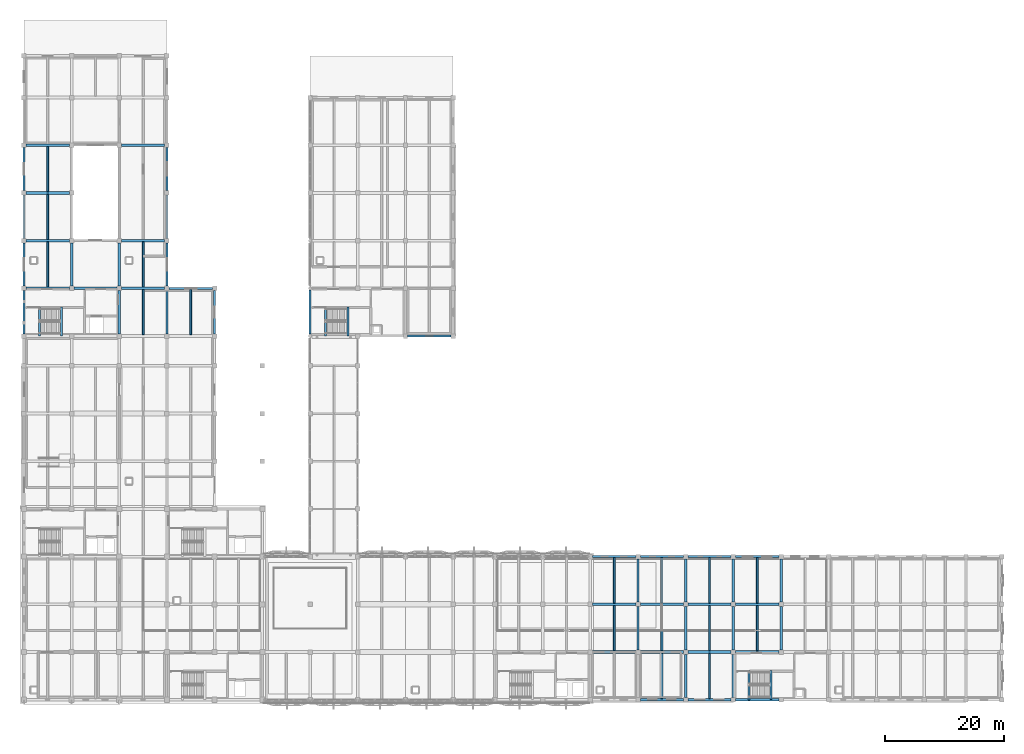
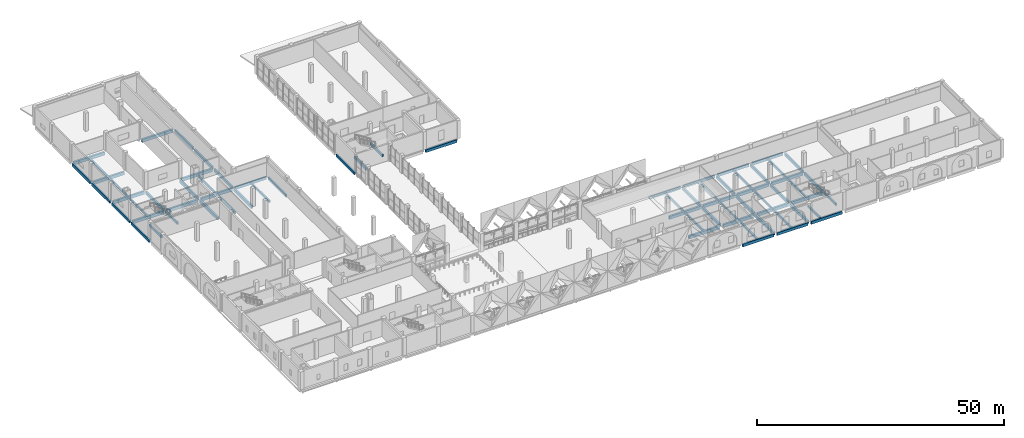
# One storey, part 17 of 53: 70 beams.
"""IFC4 building model written with IfcOpenShell, lengths in metres."""

from ifc_helpers import new_model, si_unit, direction, frame, origin, origin_2d, place, context, subcontext, project, spatial, rectangle, extrude, material, material_profile, profile_set, type_object, element, save


model = new_model("IFC4")

# Units and contexts
model_context = context("Model", 3, precision=1e-05, world=origin(), true_north=direction((0.0, 1.0)))
body_context = subcontext(model_context, "Body", "Model", "MODEL_VIEW")
ifc_project = project(units=[si_unit("LENGTHUNIT", "METRE"), si_unit("AREAUNIT", "SQUARE_METRE"), si_unit("VOLUMEUNIT", "CUBIC_METRE"), si_unit("PLANEANGLEUNIT", "RADIAN"), si_unit("MASSUNIT", "GRAM", prefix="KILO")], contexts=[model_context])

# Site, building, storey
site_placement = place(None, origin())
site = spatial("IfcSite", under=ifc_project, at=site_placement, CompositionType="ELEMENT")
building_placement = place(site_placement, origin())
building = spatial("IfcBuilding", under=site, at=building_placement, Name="Qorikala Patio Media Centre", CompositionType="ELEMENT")
storey_placement = place(building_placement, frame((0.0, 0.0, 5.39990234375)))
storey = spatial("IfcBuildingStorey", under=building, at=storey_placement, Name="L01", CompositionType="ELEMENT", Elevation=5.39990234375)

# Beams
ifc_material = material(Name="Concrete C35/45", Category="concrete")
ifc_material_profile_1 = material_profile(ifc_material, rectangle(XDim=0.35009765625, YDim=0.60009765625, at=origin_2d()), Name="RC 350x600")
ifc_profile_set_1 = profile_set([ifc_material_profile_1], Name="Concrete C35/45")
beam_type_1 = type_object("IfcBeamType", Name="BM-G350X600", PredefinedType="BEAM", material=ifc_profile_set_1)
beam_1_placement = place(storey_placement, frame((5.60009765625, 64.0, -0.2998046875), z_axis=(0.0, 1.0, 0.0), x_axis=(-1.0, 0.0, 0.0)))
element("IfcBeam", 1, at=beam_1_placement, inside=storey, type_object=beam_type_1, Name="L01 ST-3 Well Trimmer Beam", PredefinedType="BEAM", context=body_context, shape_type="SweptSolid", body=[
    extrude(rectangle(XDim=0.35009765625, YDim=0.60009765625, at=origin_2d()), origin(), (0.0, 0.0, 1.0), 4.8798828125),
])
beam_2_placement = place(storey_placement, frame((9.330078125, 64.02001953125, 1.75), z_axis=(0.0, 1.0, 0.0), x_axis=(-1.0, 0.0, 0.0)))
element("IfcBeam", 2, at=beam_2_placement, inside=storey, type_object=beam_type_1, Name="L01 ST-3 Landing Beam 1", PredefinedType="BEAM", context=body_context, shape_type="SweptSolid", body=[
    extrude(rectangle(XDim=0.35009765625, YDim=0.60009765625, at=origin_2d()), origin(), (0.0, 0.0, 1.0), 4.85986328125),
])
beam_3_placement = place(storey_placement, frame((53.60009765625, 64.0, -0.2998046875), z_axis=(0.0, 1.0, 0.0), x_axis=(-1.0, 0.0, 0.0)))
element("IfcBeam", 3, at=beam_3_placement, inside=storey, type_object=beam_type_1, Name="L01 ST-6 Well Trimmer Beam", PredefinedType="BEAM", context=body_context, shape_type="SweptSolid", body=[
    extrude(rectangle(XDim=0.35009765625, YDim=0.60009765625, at=origin_2d()), origin(), (0.0, 0.0, 1.0), 4.8798828125),
])
beam_4_placement = place(storey_placement, frame((57.330078125, 64.02001953125, 1.75), z_axis=(0.0, 1.0, 0.0), x_axis=(-1.0, 0.0, 0.0)))
element("IfcBeam", 4, at=beam_4_placement, inside=storey, type_object=beam_type_1, Name="L01 ST-6 Landing Beam 1", PredefinedType="BEAM", context=body_context, shape_type="SweptSolid", body=[
    extrude(rectangle(XDim=0.35009765625, YDim=0.60009765625, at=origin_2d()), origin(), (0.0, 0.0, 1.0), 4.85986328125),
])
beam_5_placement = place(storey_placement, frame((124.60009765625, 3.0, -0.2998046875), z_axis=(0.0, 1.0, 0.0), x_axis=(-1.0, 0.0, 0.0)))
element("IfcBeam", 5, at=beam_5_placement, inside=storey, type_object=beam_type_1, Name="L01 ST-7 Well Trimmer Beam", PredefinedType="BEAM", context=body_context, shape_type="SweptSolid", body=[
    extrude(rectangle(XDim=0.35009765625, YDim=0.60009765625, at=origin_2d()), origin(), (0.0, 0.0, 1.0), 4.8798828125),
])
beam_6_placement = place(storey_placement, frame((128.330078125, 3.02001953125, 1.75), z_axis=(0.0, 1.0, 0.0), x_axis=(-1.0, 0.0, 0.0)))
element("IfcBeam", 6, at=beam_6_placement, inside=storey, type_object=beam_type_1, Name="L01 ST-7 Landing Beam 1", PredefinedType="BEAM", context=body_context, shape_type="SweptSolid", body=[
    extrude(rectangle(XDim=0.35009765625, YDim=0.60009765625, at=origin_2d()), origin(), (0.0, 0.0, 1.0), 4.85986328125),
])
ifc_material_profile_2 = material_profile(ifc_material, rectangle(XDim=0.39990234375, YDim=0.699951171875, at=origin_2d()), Name="RC 400x700")
ifc_profile_set_2 = profile_set([ifc_material_profile_2], Name="Concrete C35/45")
beam_type_2 = type_object("IfcBeamType", Name="BM-G400X700", PredefinedType="BEAM", material=ifc_profile_set_2)
for number, where, z_axis, x_axis, name in (
    (7, (11.0, 72.375, -0.64990234375), (0.0, 1.0, 0.0), (-1.0, 0.0, 0.0), "L01 Grid X=11 Beam 0556"),
    (8, (19.0, 64.375, -0.64990234375), (0.0, 1.0, 0.0), (-1.0, 0.0, 0.0), "L01 Grid X=19 Beam 0565"),
    (9, (19.0, 72.375, -0.64990234375), (0.0, 1.0, 0.0), (-1.0, 0.0, 0.0), "L01 Grid X=19 Beam 0566"),
    (10, (27.0, 64.375, -0.64990234375), (0.0, 1.0, 0.0), (-1.0, 0.0, 0.0), "L01 Grid X=27 Beam 0577"),
    (11, (106.0, 11.375, -0.64990234375), (0.0, 1.0, 0.0), (-1.0, 0.0, 0.0), "L01 Grid X=106 Beam 0639"),
    (12, (106.0, 19.375, -0.64990234375), (0.0, 1.0, 0.0), (-1.0, 0.0, 0.0), "L01 Grid X=106 Beam 0640"),
    (13, (114.0, 3.375, -0.64990234375), (0.0, 1.0, 0.0), (-1.0, 0.0, 0.0), "L01 Grid X=114 Beam 0641"),
    (14, (114.0, 11.375, -0.64990234375), (0.0, 1.0, 0.0), (-1.0, 0.0, 0.0), "L01 Grid X=114 Beam 0642"),
    (15, (114.0, 19.375, -0.64990234375), (0.0, 1.0, 0.0), (-1.0, 0.0, 0.0), "L01 Grid X=114 Beam 0643"),
    (16, (122.0, 3.375, -0.64990234375), (0.0, 1.0, 0.0), (-1.0, 0.0, 0.0), "L01 Grid X=122 Beam 0644"),
    (17, (122.0, 11.375, -0.64990234375), (0.0, 1.0, 0.0), (-1.0, 0.0, 0.0), "L01 Grid X=122 Beam 0645"),
    (18, (122.0, 19.375, -0.64990234375), (0.0, 1.0, 0.0), (-1.0, 0.0, 0.0), "L01 Grid X=122 Beam 0646"),
    (19, (130.0, 11.375, -0.64990234375), (0.0, 1.0, 0.0), (-1.0, 0.0, 0.0), "L01 Grid X=130 Beam 0647"),
    (20, (130.0, 19.375, -0.64990234375), (0.0, 1.0, 0.0), (-1.0, 0.0, 0.0), "L01 Grid X=130 Beam 0648"),
):
    element("IfcBeam", number, at=place(storey_placement, frame(where, z_axis=z_axis, x_axis=x_axis)), inside=storey, type_object=beam_type_2, Name=name, PredefinedType="BEAM", context=body_context, shape_type="SweptSolid", body=[
        extrude(rectangle(XDim=0.39990234375, YDim=0.699951171875, at=origin_2d()), origin(), (0.0, 0.0, 1.0), 7.25),
    ])
ifc_material_profile_3 = material_profile(ifc_material, rectangle(XDim=0.449951171875, YDim=0.75, at=origin_2d()), Name="RC 450x750")
ifc_profile_set_3 = profile_set([ifc_material_profile_3], Name="Concrete C35/45")
beam_type_3 = type_object("IfcBeamType", Name="BM-G450X750", PredefinedType="BEAM", material=ifc_profile_set_3)
for number, where, z_axis, x_axis, name in (
    (21, (98.375, 11.0, -0.6748046875), (1.0, 0.0, 0.0), (0.0, 1.0, 0.0), "L01 Grid 11 Beam 0431"),
    (22, (106.375, 11.0, -0.6748046875), (1.0, 0.0, 0.0), (0.0, 1.0, 0.0), "L01 Grid 11 Beam 0432"),
    (23, (114.375, 11.0, -0.6748046875), (1.0, 0.0, 0.0), (0.0, 1.0, 0.0), "L01 Grid 11 Beam 0433"),
    (24, (122.375, 11.0, -0.6748046875), (1.0, 0.0, 0.0), (0.0, 1.0, 0.0), "L01 Grid 11 Beam 0434"),
    (25, (98.375, 19.0, -0.6748046875), (1.0, 0.0, 0.0), (0.0, 1.0, 0.0), "L01 Grid 19 Beam 0448"),
    (26, (106.375, 19.0, -0.6748046875), (1.0, 0.0, 0.0), (0.0, 1.0, 0.0), "L01 Grid 19 Beam 0449"),
    (27, (114.375, 19.0, -0.6748046875), (1.0, 0.0, 0.0), (0.0, 1.0, 0.0), "L01 Grid 19 Beam 0450"),
    (28, (122.375, 19.0, -0.6748046875), (1.0, 0.0, 0.0), (0.0, 1.0, 0.0), "L01 Grid 19 Beam 0451"),
    (29, (3.375, 72.0, -0.6748046875), (1.0, 0.0, 0.0), (0.0, 1.0, 0.0), "L01 Grid 72 Beam 0505"),
    (30, (11.375, 72.0, -0.6748046875), (1.0, 0.0, 0.0), (0.0, 1.0, 0.0), "L01 Grid 72 Beam 0506"),
    (31, (19.375, 72.0, -0.6748046875), (1.0, 0.0, 0.0), (0.0, 1.0, 0.0), "L01 Grid 72 Beam 0507"),
    (32, (3.375, 80.0, -0.6748046875), (1.0, 0.0, 0.0), (0.0, 1.0, 0.0), "L01 Grid 80 Beam 0512"),
    (33, (19.375, 80.0, -0.6748046875), (1.0, 0.0, 0.0), (0.0, 1.0, 0.0), "L01 Grid 80 Beam 0513"),
    (34, (3.375, 88.0, -0.6748046875), (1.0, 0.0, 0.0), (0.0, 1.0, 0.0), "L01 Grid 88 Beam 0517"),
    (35, (3.375, 96.0, -0.6748046875), (1.0, 0.0, 0.0), (0.0, 1.0, 0.0), "L01 Grid 96 Beam 0521"),
    (36, (19.375, 96.0, -0.6748046875), (1.0, 0.0, 0.0), (0.0, 1.0, 0.0), "L01 Grid 96 Beam 0522"),
):
    element("IfcBeam", number, at=place(storey_placement, frame(where, z_axis=z_axis, x_axis=x_axis)), inside=storey, type_object=beam_type_3, Name=name, PredefinedType="BEAM", context=body_context, shape_type="SweptSolid", body=[
        extrude(rectangle(XDim=0.449951171875, YDim=0.75, at=origin_2d()), origin(), (0.0, 0.0, 1.0), 7.25),
    ])
ifc_material_profile_4 = material_profile(ifc_material, rectangle(XDim=0.300048828125, YDim=0.550048828125, at=origin_2d()), Name="RC 300x550")
ifc_profile_set_4 = profile_set([ifc_material_profile_4], Name="Concrete C35/45")
beam_type_4 = type_object("IfcBeamType", Name="JS-300X550", PredefinedType="JOIST", material=ifc_profile_set_4)
for number, where, z_axis, x_axis, name in (
    (37, (7.0, 72.22509765625, -0.574951171875), (0.0, 1.0, 0.0), (-1.0, 0.0, 0.0), "L01 Secondary Joist 0670"),
    (38, (7.0, 80.22509765625, -0.574951171875), (0.0, 1.0, 0.0), (-1.0, 0.0, 0.0), "L01 Secondary Joist 0671"),
    (39, (7.0, 88.22509765625, -0.574951171875), (0.0, 1.0, 0.0), (-1.0, 0.0, 0.0), "L01 Secondary Joist 0672"),
    (40, (23.0, 64.22509765625, -0.574951171875), (0.0, 1.0, 0.0), (-1.0, 0.0, 0.0), "L01 Secondary Joist 0689"),
    (41, (23.0, 72.22509765625, -0.574951171875), (0.0, 1.0, 0.0), (-1.0, 0.0, 0.0), "L01 Secondary Joist 0690"),
):
    element("IfcBeam", number, at=place(storey_placement, frame(where, z_axis=z_axis, x_axis=x_axis)), inside=storey, type_object=beam_type_4, Name=name, PredefinedType="JOIST", context=body_context, shape_type="SweptSolid", body=[
        extrude(rectangle(XDim=0.300048828125, YDim=0.550048828125, at=origin_2d()), origin(), (0.0, 0.0, 1.0), 7.5498046875),
    ])
beam_7_placement = place(storey_placement, frame((31.0, 64.22509765625, -0.574951171875), z_axis=(0.0, 1.0, 0.0), x_axis=(-1.0, 0.0, 0.0)))
element("IfcBeam", 42, at=beam_7_placement, inside=storey, type_object=beam_type_4, Name="L01 Secondary Joist 0698", PredefinedType="JOIST", context=body_context, shape_type="SweptSolid", body=[
    extrude(rectangle(XDim=0.300048828125, YDim=0.550048828125, at=origin_2d()), origin(), (0.0, 0.0, 1.0), 7.599853515625),
])
beam_8_placement = place(storey_placement, frame((102.0, 11.22509765625, -0.574951171875), z_axis=(0.0, 1.0, 0.0), x_axis=(-1.0, 0.0, 0.0)))
element("IfcBeam", 43, at=beam_8_placement, inside=storey, type_object=beam_type_4, Name="L01 Secondary Joist 0734", PredefinedType="JOIST", context=body_context, shape_type="SweptSolid", body=[
    extrude(rectangle(XDim=0.300048828125, YDim=0.550048828125, at=origin_2d()), origin(), (0.0, 0.0, 1.0), 7.5498046875),
])
for number, where, z_axis, x_axis, name in (
    (44, (102.0, 19.22509765625, -0.574951171875), (0.0, 1.0, 0.0), (-1.0, 0.0, 0.0), "L01 Secondary Joist 0735"),
    (45, (110.0, 3.175048828125, -0.574951171875), (0.0, 1.0, 0.0), (-1.0, 0.0, 0.0), "L01 Secondary Joist 0736"),
):
    element("IfcBeam", number, at=place(storey_placement, frame(where, z_axis=z_axis, x_axis=x_axis)), inside=storey, type_object=beam_type_4, Name=name, PredefinedType="JOIST", context=body_context, shape_type="SweptSolid", body=[
        extrude(rectangle(XDim=0.300048828125, YDim=0.550048828125, at=origin_2d()), origin(), (0.0, 0.0, 1.0), 7.599853515625),
    ])
beam_9_placement = place(storey_placement, frame((110.0, 11.22509765625, -0.574951171875), z_axis=(0.0, 1.0, 0.0), x_axis=(-1.0, 0.0, 0.0)))
element("IfcBeam", 46, at=beam_9_placement, inside=storey, type_object=beam_type_4, Name="L01 Secondary Joist 0737", PredefinedType="JOIST", context=body_context, shape_type="SweptSolid", body=[
    extrude(rectangle(XDim=0.300048828125, YDim=0.550048828125, at=origin_2d()), origin(), (0.0, 0.0, 1.0), 7.5498046875),
])
for number, where, z_axis, x_axis, name in (
    (47, (110.0, 19.22509765625, -0.574951171875), (0.0, 1.0, 0.0), (-1.0, 0.0, 0.0), "L01 Secondary Joist 0738"),
    (48, (118.0, 3.175048828125, -0.574951171875), (0.0, 1.0, 0.0), (-1.0, 0.0, 0.0), "L01 Secondary Joist 0739"),
):
    element("IfcBeam", number, at=place(storey_placement, frame(where, z_axis=z_axis, x_axis=x_axis)), inside=storey, type_object=beam_type_4, Name=name, PredefinedType="JOIST", context=body_context, shape_type="SweptSolid", body=[
        extrude(rectangle(XDim=0.300048828125, YDim=0.550048828125, at=origin_2d()), origin(), (0.0, 0.0, 1.0), 7.599853515625),
    ])
beam_10_placement = place(storey_placement, frame((118.0, 11.22509765625, -0.574951171875), z_axis=(0.0, 1.0, 0.0), x_axis=(-1.0, 0.0, 0.0)))
element("IfcBeam", 49, at=beam_10_placement, inside=storey, type_object=beam_type_4, Name="L01 Secondary Joist 0740", PredefinedType="JOIST", context=body_context, shape_type="SweptSolid", body=[
    extrude(rectangle(XDim=0.300048828125, YDim=0.550048828125, at=origin_2d()), origin(), (0.0, 0.0, 1.0), 7.5498046875),
])
beam_11_placement = place(storey_placement, frame((118.0, 19.22509765625, -0.574951171875), z_axis=(0.0, 1.0, 0.0), x_axis=(-1.0, 0.0, 0.0)))
element("IfcBeam", 50, at=beam_11_placement, inside=storey, type_object=beam_type_4, Name="L01 Secondary Joist 0741", PredefinedType="JOIST", context=body_context, shape_type="SweptSolid", body=[
    extrude(rectangle(XDim=0.300048828125, YDim=0.550048828125, at=origin_2d()), origin(), (0.0, 0.0, 1.0), 7.599853515625),
])
beam_12_placement = place(storey_placement, frame((126.0, 11.22509765625, -0.574951171875), z_axis=(0.0, 1.0, 0.0), x_axis=(-1.0, 0.0, 0.0)))
element("IfcBeam", 51, at=beam_12_placement, inside=storey, type_object=beam_type_4, Name="L01 Secondary Joist 0742", PredefinedType="JOIST", context=body_context, shape_type="SweptSolid", body=[
    extrude(rectangle(XDim=0.300048828125, YDim=0.550048828125, at=origin_2d()), origin(), (0.0, 0.0, 1.0), 7.5498046875),
])
beam_13_placement = place(storey_placement, frame((126.0, 19.22509765625, -0.574951171875), z_axis=(0.0, 1.0, 0.0), x_axis=(-1.0, 0.0, 0.0)))
element("IfcBeam", 52, at=beam_13_placement, inside=storey, type_object=beam_type_4, Name="L01 Secondary Joist 0743", PredefinedType="JOIST", context=body_context, shape_type="SweptSolid", body=[
    extrude(rectangle(XDim=0.300048828125, YDim=0.550048828125, at=origin_2d()), origin(), (0.0, 0.0, 1.0), 7.599853515625),
])
ifc_material_profile_5 = material_profile(ifc_material, rectangle(XDim=0.35009765625, YDim=0.679931640625, at=origin_2d()), Name="RC 350x680")
ifc_profile_set_5 = profile_set([ifc_material_profile_5], Name="Concrete C35/45")
beam_type_5 = type_object("IfcBeamType", Name="SP-350X680", PredefinedType="SPANDREL", material=ifc_profile_set_5)
for number, where, z_axis, x_axis, name in (
    (53, (106.375, 3.0, -0.639892578125), (1.0, 0.0, 0.0), (0.0, 1.0, 0.0), "L01 Grid 3 Beam 0412"),
    (54, (114.375, 3.0, -0.639892578125), (1.0, 0.0, 0.0), (0.0, 1.0, 0.0), "L01 Grid 3 Beam 0413"),
    (55, (122.375, 3.0, -0.639892578125), (1.0, 0.0, 0.0), (0.0, 1.0, 0.0), "L01 Grid 3 Beam 0414"),
    (56, (98.375, 27.0, -0.639892578125), (1.0, 0.0, 0.0), (0.0, 1.0, 0.0), "L01 Grid 27 Beam 0469"),
    (57, (106.375, 27.0, -0.639892578125), (1.0, 0.0, 0.0), (0.0, 1.0, 0.0), "L01 Grid 27 Beam 0470"),
    (58, (114.375, 27.0, -0.639892578125), (1.0, 0.0, 0.0), (0.0, 1.0, 0.0), "L01 Grid 27 Beam 0471"),
    (59, (122.375, 27.0, -0.639892578125), (1.0, 0.0, 0.0), (0.0, 1.0, 0.0), "L01 Grid 27 Beam 0472"),
    (60, (67.375, 64.0, -0.639892578125), (1.0, 0.0, 0.0), (0.0, 1.0, 0.0), "L01 Grid 64 Beam 0504"),
    (61, (27.375, 72.0, -0.639892578125), (1.0, 0.0, 0.0), (0.0, 1.0, 0.0), "L01 Grid 72 Beam 0508"),
    (62, (3.0, 64.375, -0.639892578125), (0.0, 1.0, 0.0), (-1.0, 0.0, 0.0), "L01 Grid X=3 Beam 0543"),
    (63, (3.0, 72.375, -0.639892578125), (0.0, 1.0, 0.0), (-1.0, 0.0, 0.0), "L01 Grid X=3 Beam 0544"),
    (64, (3.0, 80.375, -0.639892578125), (0.0, 1.0, 0.0), (-1.0, 0.0, 0.0), "L01 Grid X=3 Beam 0545"),
    (65, (3.0, 88.375, -0.639892578125), (0.0, 1.0, 0.0), (-1.0, 0.0, 0.0), "L01 Grid X=3 Beam 0546"),
    (66, (27.0, 72.375, -0.639892578125), (0.0, 1.0, 0.0), (-1.0, 0.0, 0.0), "L01 Grid X=27 Beam 0578"),
    (67, (27.0, 80.375, -0.639892578125), (0.0, 1.0, 0.0), (-1.0, 0.0, 0.0), "L01 Grid X=27 Beam 0579"),
    (68, (27.0, 88.375, -0.639892578125), (0.0, 1.0, 0.0), (-1.0, 0.0, 0.0), "L01 Grid X=27 Beam 0580"),
    (69, (35.0, 64.375, -0.639892578125), (0.0, 1.0, 0.0), (-1.0, 0.0, 0.0), "L01 Grid X=35 Beam 0589"),
):
    element("IfcBeam", number, at=place(storey_placement, frame(where, z_axis=z_axis, x_axis=x_axis)), inside=storey, type_object=beam_type_5, Name=name, PredefinedType="SPANDREL", context=body_context, shape_type="SweptSolid", body=[
        extrude(rectangle(XDim=0.35009765625, YDim=0.679931640625, at=origin_2d()), origin(), (0.0, 0.0, 1.0), 7.25),
    ])
beam_14_placement = place(storey_placement, frame((51.0, 64.300048828125, -0.639892578125), z_axis=(0.0, 1.0, 0.0), x_axis=(-1.0, 0.0, 0.0)))
element("IfcBeam", 70, at=beam_14_placement, inside=storey, type_object=beam_type_5, Name="L01 Grid X=51 Beam 0600", PredefinedType="SPANDREL", context=body_context, shape_type="SweptSolid", body=[
    extrude(rectangle(XDim=0.35009765625, YDim=0.679931640625, at=origin_2d()), origin(), (0.0, 0.0, 1.0), 7.39990234375),
])

save(model, "model.ifc")
